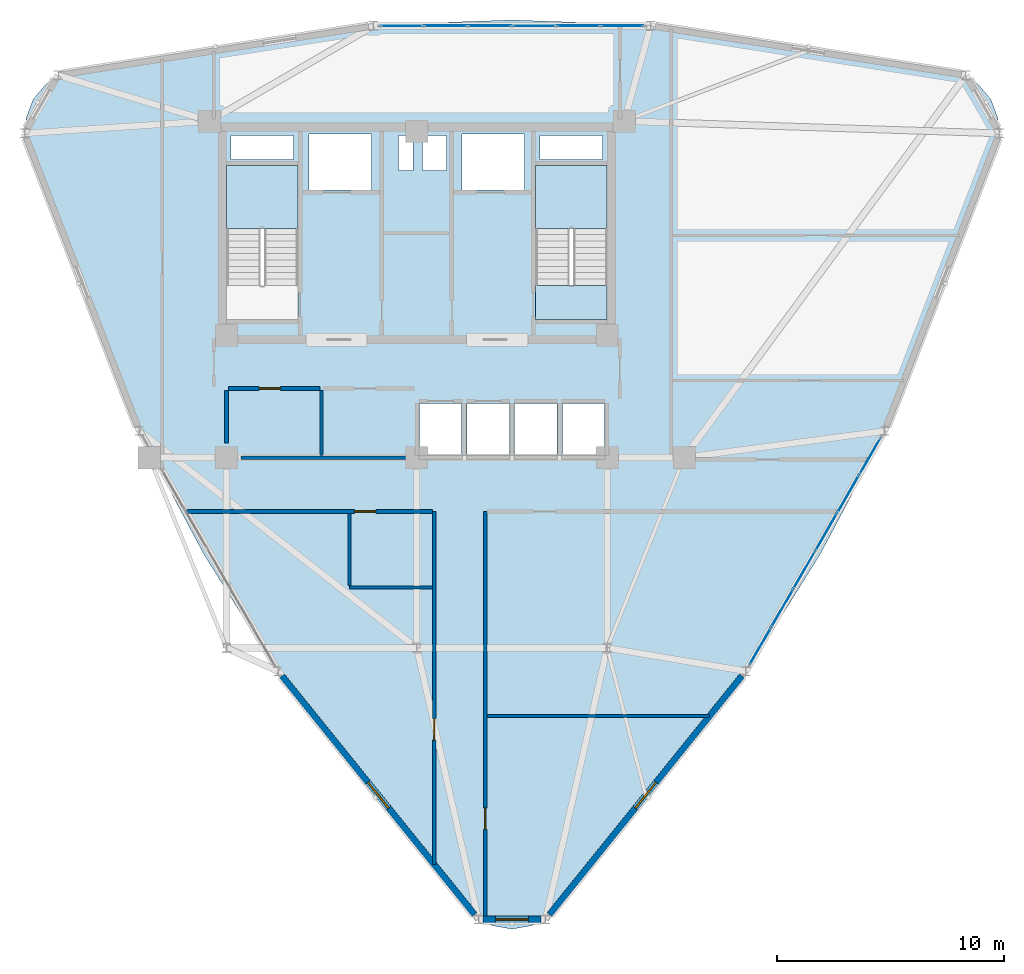
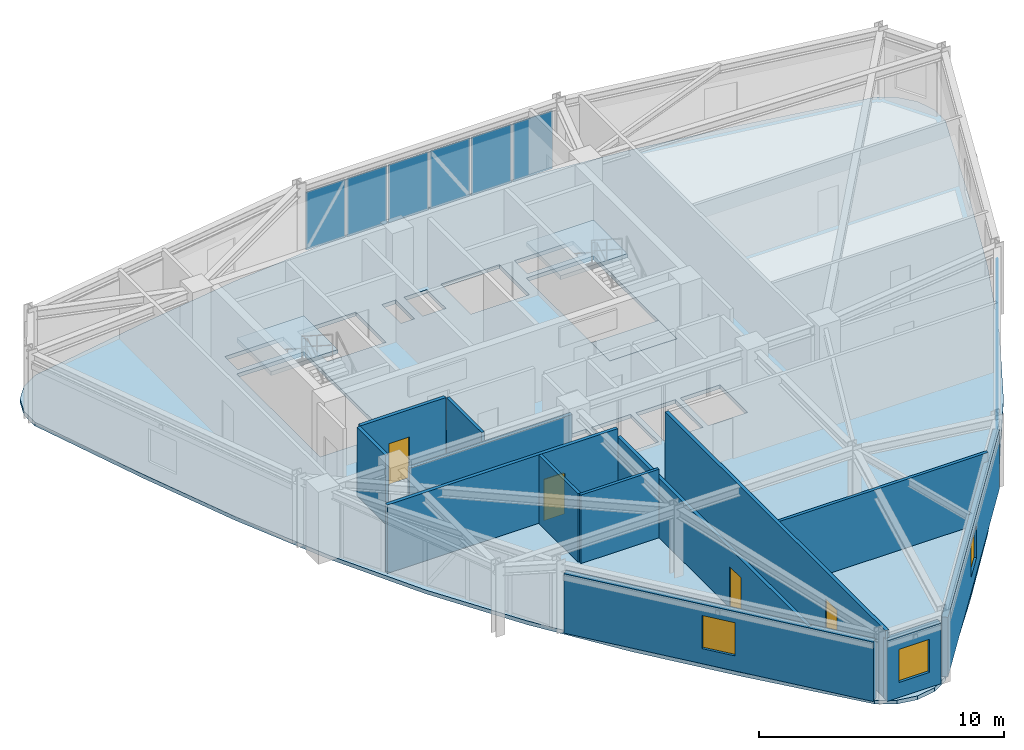
# One storey, part 12 of 16: 13 walls, 12 plates, 4 doors, 4 slabs, 3 windows, 7 openings, 4 elements without a shape of their own.
"""IFC4 building model written with IfcOpenShell, lengths in metres."""

from ifc_helpers import new_model, si_unit, derived_unit, direction, frame, frame_2d, origin, origin_2d, place, context, subcontext, project, spatial, polyline, rectangle, outline, extrude, source, transform, mapped, material, layer, layer_set, type_object, element, fill, aggregate, save


model = new_model("IFC4")

# Units and contexts
model_context = context("Model", 3, precision=1e-05, world=origin(), true_north=direction((0.0, 1.0)))
body_context = subcontext(model_context, "Body", "Model", "MODEL_VIEW")
ifc_project = project(units=[si_unit("LENGTHUNIT", "METRE"), si_unit("AREAUNIT", "SQUARE_METRE"), si_unit("VOLUMEUNIT", "CUBIC_METRE"), si_unit("PLANEANGLEUNIT", "RADIAN"), si_unit("MASSUNIT", "GRAM", prefix="KILO"), derived_unit("THERMALTRANSMITTANCEUNIT", [(si_unit("POWERUNIT", "WATT"), 1), (si_unit("LENGTHUNIT", "METRE"), -2), (si_unit("THERMODYNAMICTEMPERATUREUNIT", "KELVIN"), -1)])], contexts=[model_context])

# Site, building, storey
site_placement = place(None, origin())
site = spatial("IfcSite", under=ifc_project, at=site_placement, CompositionType="ELEMENT")
building_placement = place(site_placement, origin())
building = spatial("IfcBuilding", under=site, at=building_placement, Name="Korsvarv Bourse and Concert Hall", CompositionType="ELEMENT")
storey_placement = place(building_placement, frame((0.0, 0.0, 220.199951171875)))
storey = spatial("IfcBuildingStorey", under=building, at=storey_placement, Name="L57", CompositionType="ELEMENT", Elevation=220.199951171875)

# Slab
ifc_material_1 = material(Name="Precast concrete C45/55", Category="concrete")
ifc_layer_1 = layer(ifc_material_1, 0.199951171875)
ifc_layer_set_1 = layer_set([ifc_layer_1], Name="Precast concrete C45/55")
slab_type_1 = type_object("IfcSlabType", Name="SLB-FLND-T", PredefinedType="LANDING", material=ifc_layer_set_1)
slab_1_placement = place(storey_placement, frame((0.0, 0.0, -0.199951171875)))
element("IfcSlab", 1, at=slab_1_placement, inside=storey, type_object=slab_type_1, Name="L57 Stair ST-T2 Floor Landing Slab", PredefinedType="LANDING", context=body_context, shape_type="SweptSolid", body=[
    extrude(outline(polyline([(44.39990234375, 38.5), (44.39990234375, 40.0), (41.239990234375, 40.0), (41.239990234375, 38.5), (44.39990234375, 38.5)])), origin(), (0.0, 0.0, 1.0), 0.199951171875),
])

# Stair, slab
stair_type = type_object("IfcStairType", Name="STR-TYPE-04", PredefinedType="HALF_TURN_STAIR", material=ifc_material_1)
stair_1_placement = place(storey_placement, origin())
stair_1 = element("IfcStair", 2, at=stair_1_placement, inside=storey, type_object=stair_type, Name="L57 Tower West Exit Stair ST-T1", PredefinedType="HALF_TURN_STAIR")
ifc_layer_2 = layer(ifc_material_1, 0.199951171875)
ifc_layer_set_2 = layer_set([ifc_layer_2], Name="Precast concrete C45/55")
slab_type_2 = type_object("IfcSlabType", Name="SLB-ST-LND", PredefinedType="LANDING", material=ifc_layer_set_2)
slab_2_placement = place(storey_placement, frame((0.0, 0.0, 1.60009765625)))
slab_2 = element("IfcSlab", 3, at=slab_2_placement, type_object=slab_type_2, Name="ST-T1 landing 1", PredefinedType="LANDING", context=body_context, shape_type="SweptSolid", body=[
    extrude(outline(polyline([(30.760009765625, 42.52001953125), (30.760009765625, 45.300048828125), (27.60009765625, 45.300048828125), (27.60009765625, 42.52001953125), (30.760009765625, 42.52001953125)])), origin(), (0.0, 0.0, 1.0), 0.199951171875),
])
aggregate(stair_1, [slab_2])

stair_2_placement = place(storey_placement, origin())
stair_2 = element("IfcStair", 4, at=stair_2_placement, inside=storey, type_object=stair_type, Name="L57 Tower East Exit Stair ST-T2", PredefinedType="HALF_TURN_STAIR")
slab_3_placement = place(storey_placement, frame((0.0, 0.0, 1.60009765625)))
slab_3 = element("IfcSlab", 5, at=slab_3_placement, type_object=slab_type_2, Name="ST-T2 landing 1", PredefinedType="LANDING", context=body_context, shape_type="SweptSolid", body=[
    extrude(outline(polyline([(44.39990234375, 42.52001953125), (44.39990234375, 45.300048828125), (41.239990234375, 45.300048828125), (41.239990234375, 42.52001953125), (44.39990234375, 42.52001953125)])), origin(), (0.0, 0.0, 1.0), 0.199951171875),
])
aggregate(stair_2, [slab_3])

# Slab
ifc_material_2 = material(Name="Concrete C45/55", Category="concrete")
ifc_layer_3 = layer(ifc_material_2, 0.18994140625)
ifc_layer_set_3 = layer_set([ifc_layer_3], Name="Concrete C45/55")
slab_type_3 = type_object("IfcSlabType", Name="SLB-TW3", PredefinedType="FLOOR", material=ifc_layer_set_3)
slab_4_placement = place(storey_placement, frame((0.0, 0.0, -0.18994140625)))
element("IfcSlab", 6, at=slab_4_placement, inside=storey, type_object=slab_type_3, Name="L57 tower structural floor slab", PredefinedType="FLOOR", context=body_context, shape_type="SweptSolid", body=[
    extrude(outline(polyline([(61.281982421875, 45.464111328125), (59.653564453125, 40.964111328125), (57.922119140625, 36.548095703125), (55.994384765625, 32.265380859375), (53.80615234375, 28.14453125), (51.33154296875, 24.188720703125), (48.58642578125, 20.3779296875), (45.627685546875, 16.670654296875), (42.544677734375, 13.010498046875), (42.543701171875, 13.009033203125), (41.865478515625, 12.200927734375), (41.086181640625, 11.7509765625), (40.199951171875, 11.5947265625), (39.313720703125, 11.7509765625), (38.534423828125, 12.200927734375), (37.856201171875, 13.009033203125), (37.855224609375, 13.010498046875), (34.772216796875, 16.670654296875), (31.813720703125, 20.3779296875), (29.068603515625, 24.188720703125), (26.593994140625, 28.14453125), (24.405517578125, 32.265380859375), (22.477783203125, 36.548095703125), (20.74658203125, 40.964111328125), (19.1181640625, 45.464111328125), (19.117431640625, 45.4658203125), (18.756591796875, 46.457275390625), (18.756591796875, 47.35693359375), (19.064453125, 48.20263671875), (19.642822265625, 48.89208984375), (20.422119140625, 49.341796875), (21.461181640625, 49.525146484375), (21.462646484375, 49.525390625), (26.17431640625, 50.365234375), (30.8642578125, 51.073974609375), (35.537109375, 51.545654296875), (40.199951171875, 51.7109375), (44.863037109375, 51.545654296875), (49.535888671875, 51.073974609375), (54.2255859375, 50.365234375), (58.937255859375, 49.525390625), (58.93896484375, 49.525146484375), (59.977783203125, 49.341796875), (60.757080078125, 48.89208984375), (61.33544921875, 48.20263671875), (61.643310546875, 47.35693359375), (61.643310546875, 46.457275390625), (61.282470703125, 45.4658203125), (61.281982421875, 45.464111328125)]), holes=[polyline([(30.760009765625, 38.5), (30.760009765625, 45.300048828125), (27.60009765625, 45.300048828125), (27.60009765625, 38.5), (30.760009765625, 38.5)]), polyline([(44.39990234375, 38.5), (44.39990234375, 45.300048828125), (41.239990234375, 45.300048828125), (41.239990234375, 38.5), (44.39990234375, 38.5)]), polyline([(31.239990234375, 44.219970703125), (34.0, 44.219970703125), (34.0, 46.679931640625), (31.239990234375, 46.679931640625), (31.239990234375, 44.219970703125)]), polyline([(38.0, 44.219970703125), (40.760009765625, 44.219970703125), (40.760009765625, 46.679931640625), (38.0, 46.679931640625), (38.0, 44.219970703125)]), polyline([(36.1201171875, 32.52001953125), (37.97998046875, 32.52001953125), (37.97998046875, 34.780029296875), (36.1201171875, 34.780029296875), (36.1201171875, 32.52001953125)]), polyline([(38.219970703125, 32.52001953125), (40.080078125, 32.52001953125), (40.080078125, 34.780029296875), (38.219970703125, 34.780029296875), (38.219970703125, 32.52001953125)]), polyline([(40.320068359375, 32.52001953125), (42.179931640625, 32.52001953125), (42.179931640625, 34.780029296875), (40.320068359375, 34.780029296875), (40.320068359375, 32.52001953125)]), polyline([(42.419921875, 32.52001953125), (44.280029296875, 32.52001953125), (44.280029296875, 34.780029296875), (42.419921875, 34.780029296875), (42.419921875, 32.52001953125)]), polyline([(27.800048828125, 45.56005859375), (30.56005859375, 45.56005859375), (30.56005859375, 46.6201171875), (27.800048828125, 46.6201171875), (27.800048828125, 45.56005859375)]), polyline([(41.43994140625, 45.56005859375), (44.199951171875, 45.56005859375), (44.199951171875, 46.6201171875), (41.43994140625, 46.6201171875), (41.43994140625, 45.56005859375)]), polyline([(35.199951171875, 45.080078125), (35.840087890625, 45.080078125), (35.840087890625, 46.6201171875), (35.199951171875, 46.6201171875), (35.199951171875, 45.080078125)]), polyline([(36.239990234375, 45.080078125), (37.320068359375, 45.080078125), (37.320068359375, 46.6201171875), (36.239990234375, 46.6201171875), (36.239990234375, 45.080078125)])]), origin(), (0.0, 0.0, 1.0), 0.18994140625),
])

# Curtain wall, plates
ifc_material_3 = material(Name="Anodised aluminium and triple low-E glazing", Category="glass")
ifc_layer_4 = layer(ifc_material_3, 0.199951171875)
ifc_layer_set_4 = layer_set([ifc_layer_4], Name="Anodised aluminium and triple low-E glazing")
curtain_wall_type = type_object("IfcCurtainWallType", Name="CW-SYS-3", PredefinedType="NOTDEFINED", material=ifc_layer_set_4)
curtain_wall_1_placement = place(storey_placement, origin())
curtain_wall_1 = element("IfcCurtainWall", 7, at=curtain_wall_1_placement, inside=storey, type_object=curtain_wall_type, Name="L57 CW3 curtain wall CW-L57-F03", PredefinedType="NOTDEFINED")
ifc_material_4 = material(Name="Tempered triple insulated low-E architectural glass", Category="glass")
ifc_layer_5 = layer(ifc_material_4, 0.0380859375)
ifc_layer_set_5 = layer_set([ifc_layer_5], Name="Tempered triple insulated low-E architectural glass")
plate_type_1 = type_object("IfcPlateType", Name="CWP-VIS2", PredefinedType="CURTAIN_PANEL", material=ifc_layer_set_5)
shared_shape_1 = source(origin(), body_context, "Body", "SweptSolid", [
    extrude(rectangle(XDim=1.850341796875, YDim=0.0380859375, at=origin_2d()), origin(), (0.0, 0.0, 1.0), 2.889892578125),
])
plate_1_placement = place(storey_placement, frame((45.07080078125, 51.449951171875, 0.06494140625), z_axis=(0.0, 0.0, 1.0), x_axis=(-1.0, 0.0, 0.0)))
plate_1 = element("IfcPlate", 8, at=plate_1_placement, type_object=plate_type_1, Name="CW3 faceted panel 1.1", PredefinedType="CURTAIN_PANEL", context=body_context, shape_type="MappedRepresentation", body=[
    mapped(shared_shape_1, transform((0.0, 0.0, 0.0), scale=1.0)),
])
shared_shape_2 = source(origin(), body_context, "Body", "SweptSolid", [
    extrude(rectangle(XDim=1.88525390625, YDim=0.0380859375, at=origin_2d()), origin(), (0.0, 0.0, 1.0), 2.889892578125),
])
plate_2_placement = place(storey_placement, frame((43.133056640625, 51.449951171875, 0.06494140625), z_axis=(0.0, 0.0, 1.0), x_axis=(-1.0, 0.0, 0.0)))
plate_2 = element("IfcPlate", 9, at=plate_2_placement, type_object=plate_type_1, Name="CW3 faceted panel 2.1", PredefinedType="CURTAIN_PANEL", context=body_context, shape_type="MappedRepresentation", body=[
    mapped(shared_shape_2, transform((0.0, 0.0, 0.0), scale=1.0)),
])
plate_3_placement = place(storey_placement, frame((39.222412109375, 51.449951171875, 0.06494140625), z_axis=(0.0, 0.0, 1.0), x_axis=(-1.0, 0.0, 0.0)))
plate_3 = element("IfcPlate", 10, at=plate_3_placement, type_object=plate_type_1, Name="CW3 faceted panel 4.1", PredefinedType="CURTAIN_PANEL", context=body_context, shape_type="MappedRepresentation", body=[
    mapped(shared_shape_2, transform((0.0, 0.0, 0.0), scale=1.0)),
])
plate_4_placement = place(storey_placement, frame((37.26708984375, 51.449951171875, 0.06494140625), z_axis=(0.0, 0.0, 1.0), x_axis=(-1.0, 0.0, 0.0)))
plate_4 = element("IfcPlate", 11, at=plate_4_placement, type_object=plate_type_1, Name="CW3 faceted panel 5.1", PredefinedType="CURTAIN_PANEL", context=body_context, shape_type="MappedRepresentation", body=[
    mapped(shared_shape_2, transform((0.0, 0.0, 0.0), scale=1.0)),
])
ifc_material_5 = material(Name="Insulated spandrel glass", Category="glass")
ifc_layer_6 = layer(ifc_material_5, 0.031982421875)
ifc_layer_set_6 = layer_set([ifc_layer_6], Name="Insulated spandrel glass")
plate_type_2 = type_object("IfcPlateType", Name="CWP-SPD1", PredefinedType="CURTAIN_PANEL", material=ifc_layer_set_6)
shared_shape_3 = source(origin(), body_context, "Body", "SweptSolid", [
    extrude(rectangle(XDim=1.88525390625, YDim=0.031982421875, at=origin_2d()), origin(), (0.0, 0.0, 1.0), 2.889892578125),
])
plate_5_placement = place(storey_placement, frame((41.177734375, 51.449951171875, 0.06494140625), z_axis=(0.0, 0.0, 1.0), x_axis=(-1.0, 0.0, 0.0)))
plate_5 = element("IfcPlate", 12, at=plate_5_placement, type_object=plate_type_2, Name="CW3 spandrel shadow-box panel 3.1", PredefinedType="CURTAIN_PANEL", context=body_context, shape_type="MappedRepresentation", body=[
    mapped(shared_shape_3, transform((0.0, 0.0, 0.0), scale=1.0)),
])
shared_shape_4 = source(origin(), body_context, "Body", "SweptSolid", [
    extrude(rectangle(XDim=1.850341796875, YDim=0.031982421875, at=origin_2d()), origin(), (0.0, 0.0, 1.0), 2.889892578125),
])
plate_6_placement = place(storey_placement, frame((35.3291015625, 51.449951171875, 0.06494140625), z_axis=(0.0, 0.0, 1.0), x_axis=(-1.0, 0.0, 0.0)))
plate_6 = element("IfcPlate", 13, at=plate_6_placement, type_object=plate_type_2, Name="CW3 spandrel shadow-box panel 6.1", PredefinedType="CURTAIN_PANEL", context=body_context, shape_type="MappedRepresentation", body=[
    mapped(shared_shape_4, transform((0.0, 0.0, 0.0), scale=1.0)),
])
aggregate(curtain_wall_1, [plate_1, plate_2, plate_5, plate_3, plate_4, plate_6])

curtain_wall_2_placement = place(storey_placement, origin())
curtain_wall_2 = element("IfcCurtainWall", 14, at=curtain_wall_2_placement, inside=storey, type_object=curtain_wall_type, Name="L57 CW3 curtain wall CW-L57-F11", PredefinedType="NOTDEFINED")
shared_shape_5 = source(origin(), body_context, "Body", "SweptSolid", [
    extrude(rectangle(XDim=1.83544921875, YDim=0.0380859375, at=origin_2d()), origin(), (0.0, 0.0, 1.0), 2.889892578125),
])
plate_7_placement = place(storey_placement, frame((51.163330078125, 24.08935546875, 0.06494140625), z_axis=(0.0, 0.0, 1.0), x_axis=(0.499992358293, 0.866029815681, 0.0)))
plate_7 = element("IfcPlate", 15, at=plate_7_placement, type_object=plate_type_1, Name="CW3 faceted panel 1.1", PredefinedType="CURTAIN_PANEL", context=body_context, shape_type="MappedRepresentation", body=[
    mapped(shared_shape_5, transform((0.0, 0.0, 0.0), scale=1.0)),
])
shared_shape_6 = source(origin(), body_context, "Body", "SweptSolid", [
    extrude(rectangle(XDim=1.870361328125, YDim=0.0380859375, at=origin_2d()), origin(), (0.0, 0.0, 1.0), 2.889892578125),
])
plate_8_placement = place(storey_placement, frame((52.124755859375, 25.75439453125, 0.06494140625), z_axis=(0.0, 0.0, 1.0), x_axis=(0.499992358293, 0.866029815681, 0.0)))
plate_8 = element("IfcPlate", 16, at=plate_8_placement, type_object=plate_type_1, Name="CW3 faceted panel 2.1", PredefinedType="CURTAIN_PANEL", context=body_context, shape_type="MappedRepresentation", body=[
    mapped(shared_shape_6, transform((0.0, 0.0, 0.0), scale=1.0)),
])
plate_9_placement = place(storey_placement, frame((54.065185546875, 29.115234375, 0.06494140625), z_axis=(0.0, 0.0, 1.0), x_axis=(0.499992358293, 0.866029815681, 0.0)))
plate_9 = element("IfcPlate", 17, at=plate_9_placement, type_object=plate_type_1, Name="CW3 faceted panel 4.1", PredefinedType="CURTAIN_PANEL", context=body_context, shape_type="MappedRepresentation", body=[
    mapped(shared_shape_6, transform((0.0, 0.0, 0.0), scale=1.0)),
])
plate_10_placement = place(storey_placement, frame((55.03515625, 30.795654296875, 0.06494140625), z_axis=(0.0, 0.0, 1.0), x_axis=(0.499992358293, 0.866029815681, 0.0)))
plate_10 = element("IfcPlate", 18, at=plate_10_placement, type_object=plate_type_1, Name="CW3 faceted panel 5.1", PredefinedType="CURTAIN_PANEL", context=body_context, shape_type="MappedRepresentation", body=[
    mapped(shared_shape_6, transform((0.0, 0.0, 0.0), scale=1.0)),
])
shared_shape_7 = source(origin(), body_context, "Body", "SweptSolid", [
    extrude(rectangle(XDim=1.870361328125, YDim=0.031982421875, at=origin_2d()), origin(), (0.0, 0.0, 1.0), 2.889892578125),
])
plate_11_placement = place(storey_placement, frame((53.094970703125, 27.434814453125, 0.06494140625), z_axis=(0.0, 0.0, 1.0), x_axis=(0.499992358293, 0.866029815681, 0.0)))
plate_11 = element("IfcPlate", 19, at=plate_11_placement, type_object=plate_type_2, Name="CW3 spandrel shadow-box panel 3.1", PredefinedType="CURTAIN_PANEL", context=body_context, shape_type="MappedRepresentation", body=[
    mapped(shared_shape_7, transform((0.0, 0.0, 0.0), scale=1.0)),
])
shared_shape_8 = source(origin(), body_context, "Body", "SweptSolid", [
    extrude(rectangle(XDim=1.83544921875, YDim=0.031982421875, at=origin_2d()), origin(), (0.0, 0.0, 1.0), 2.889892578125),
])
plate_12_placement = place(storey_placement, frame((55.99658203125, 32.4609375, 0.06494140625), z_axis=(0.0, 0.0, 1.0), x_axis=(0.499992358293, 0.866029815681, 0.0)))
plate_12 = element("IfcPlate", 20, at=plate_12_placement, type_object=plate_type_2, Name="CW3 spandrel shadow-box panel 6.1", PredefinedType="CURTAIN_PANEL", context=body_context, shape_type="MappedRepresentation", body=[
    mapped(shared_shape_8, transform((0.0, 0.0, 0.0), scale=1.0)),
])
aggregate(curtain_wall_2, [plate_7, plate_8, plate_11, plate_9, plate_10, plate_12])

# Wall, opening, window
ifc_material_6 = material(Name="Precast concrete C45/55 with terracotta rainscreen", Category="concrete")
ifc_layer_7 = layer(ifc_material_6, 0.300048828125)
ifc_layer_set_7 = layer_set([ifc_layer_7], Name="Precast concrete C45/55 with terracotta rainscreen")
wall_type_1 = type_object("IfcWallType", Name="WL-EXT-TC1", PredefinedType="SOLIDWALL", material=ifc_layer_set_7)
wall_1_placement = place(storey_placement, frame((38.92822265625, 12.020263671875, 0.0), z_axis=(0.0, 0.0, 1.0), x_axis=(1.0, 0.0, 0.0)))
wall_1 = element("IfcWall", 21, at=wall_1_placement, inside=storey, type_object=wall_type_1, Name="L57 terracotta exterior wall EW-L57-B09", PredefinedType="SOLIDWALL", context=body_context, shape_type="SweptSolid", body=[
    extrude(rectangle(XDim=2.54345703125, YDim=0.300048828125, at=frame_2d((1.271728515625, 0.0))), origin(), (0.0, 0.0, 1.0), 3.02001953125),
])
opening_1_placement = place(wall_1_placement, frame((0.546875, 0.0, 0.75)))
opening_1 = element("IfcOpeningElement", 22, at=opening_1_placement, cuts=wall_1, Name="Opening W-02", PredefinedType="OPENING", context=body_context, shape_type="SweptSolid", body=[
    extrude(rectangle(XDim=1.449951171875, YDim=1.64990234375, at=frame_2d((0.72509765625, 0.824951171875))), frame((0.0, 0.16015625, 0.0), z_axis=(0.0, -1.0, 0.0), x_axis=(1.0, 0.0, 0.0)), (0.0, 0.0, 1.0), 0.320068359375),
])
ifc_material_7 = material(Name="Thermally broken aluminium frame with triple low-E glass", Category="glass")
window_type = type_object("IfcWindowType", Name="WIN-TW2", PartitioningType="SINGLE_PANEL", PredefinedType="WINDOW", material=ifc_material_7)
window_1_placement = place(opening_1_placement, origin())
window_1 = element("IfcWindow", 23, at=window_1_placement, inside=storey, type_object=window_type, Name="L57 punched facade window W-02", OverallHeight=1.64990234375, OverallWidth=1.449951171875, PartitioningType="SINGLE_PANEL", PredefinedType="WINDOW", context=body_context, shape_type="SweptSolid", body=[
    extrude(rectangle(XDim=1.449951171875, YDim=1.64990234375, at=frame_2d((0.72509765625, 0.824951171875))), frame((0.0, 0.030029296875, 0.0), z_axis=(0.0, -1.0, 0.0), x_axis=(1.0, 0.0, 0.0)), (0.0, 0.0, 1.0), 0.06005859375),
])
fill(opening_1, window_1)

ifc_material_8 = material(Name="Precast concrete C45/55 with fluted terracotta pier", Category="concrete")
ifc_layer_8 = layer(ifc_material_8, 0.280029296875)
ifc_layer_set_8 = layer_set([ifc_layer_8], Name="Precast concrete C45/55 with fluted terracotta pier")
wall_type_2 = type_object("IfcWallType", Name="WL-EXT-TC2", PredefinedType="SOLIDWALL", material=ifc_layer_set_8)
wall_2_placement = place(storey_placement, frame((30.05126953125, 22.762939453125, 0.0), z_axis=(0.0, 0.0, 1.0), x_axis=(0.627990128971, -0.778221303946, 0.0)))
wall_2 = element("IfcWall", 24, at=wall_2_placement, inside=storey, type_object=wall_type_2, Name="L57 terracotta exterior wall EW-L57-B08", PredefinedType="SOLIDWALL", context=body_context, shape_type="SweptSolid", body=[
    extrude(rectangle(XDim=13.530517578125, YDim=0.280029296875, at=frame_2d((6.76513671875, 0.0))), origin(), (0.0, 0.0, 1.0), 2.9599609375),
])
opening_2_placement = place(wall_2_placement, frame((6.040283203125, 0.0, 0.75)))
opening_2 = element("IfcOpeningElement", 25, at=opening_2_placement, cuts=wall_2, Name="Opening W-02", PredefinedType="OPENING", context=body_context, shape_type="SweptSolid", body=[
    extrude(rectangle(XDim=1.449951171875, YDim=1.64990234375, at=frame_2d((0.72509765625, 0.824951171875))), frame((0.0, 0.14990234375, 0.0), z_axis=(0.0, -1.0, 0.0), x_axis=(1.0, 0.0, 0.0)), (0.0, 0.0, 1.0), 0.300048828125),
])
window_2_placement = place(opening_2_placement, origin())
window_2 = element("IfcWindow", 26, at=window_2_placement, inside=storey, type_object=window_type, Name="L57 punched facade window W-02", OverallHeight=1.64990234375, OverallWidth=1.449951171875, PartitioningType="SINGLE_PANEL", PredefinedType="WINDOW", context=body_context, shape_type="SweptSolid", body=[
    extrude(rectangle(XDim=1.449951171875, YDim=1.64990234375, at=frame_2d((0.72509765625, 0.824951171875))), frame((0.0, 0.030029296875, 0.0), z_axis=(0.0, -1.0, 0.0), x_axis=(1.0, 0.0, 0.0)), (0.0, 0.0, 1.0), 0.06005859375),
])
fill(opening_2, window_2)

wall_3_placement = place(storey_placement, frame((41.851806640625, 12.233154296875, 0.0), z_axis=(0.0, 0.0, 1.0), x_axis=(0.627979201057, 0.778230122162, 0.0)))
wall_3 = element("IfcWall", 27, at=wall_3_placement, inside=storey, type_object=wall_type_2, Name="L57 terracotta exterior wall EW-L57-B10", PredefinedType="SOLIDWALL", context=body_context, shape_type="SweptSolid", body=[
    extrude(rectangle(XDim=13.530517578125, YDim=0.280029296875, at=frame_2d((6.76513671875, 0.0))), origin(), (0.0, 0.0, 1.0), 2.9599609375),
])
opening_3_placement = place(wall_3_placement, frame((6.040283203125, 0.0, 0.75)))
opening_3 = element("IfcOpeningElement", 28, at=opening_3_placement, cuts=wall_3, Name="Opening W-02", PredefinedType="OPENING", context=body_context, shape_type="SweptSolid", body=[
    extrude(rectangle(XDim=1.449951171875, YDim=1.64990234375, at=frame_2d((0.72509765625, 0.824951171875))), frame((0.0, 0.14990234375, 0.0), z_axis=(0.0, -1.0, 0.0), x_axis=(1.0, 0.0, 0.0)), (0.0, 0.0, 1.0), 0.300048828125),
])
window_3_placement = place(opening_3_placement, origin())
window_3 = element("IfcWindow", 29, at=window_3_placement, inside=storey, type_object=window_type, Name="L57 punched facade window W-02", OverallHeight=1.64990234375, OverallWidth=1.449951171875, PartitioningType="SINGLE_PANEL", PredefinedType="WINDOW", context=body_context, shape_type="SweptSolid", body=[
    extrude(rectangle(XDim=1.449951171875, YDim=1.64990234375, at=frame_2d((0.72509765625, 0.824951171875))), frame((0.0, 0.030029296875, 0.0), z_axis=(0.0, -1.0, 0.0), x_axis=(1.0, 0.0, 0.0)), (0.0, 0.0, 1.0), 0.06005859375),
])
fill(opening_3, window_3)

# Walls
ifc_material_9 = material(Name="Double-stud fire-rated acoustic partition", Category="gypsum")
ifc_layer_9 = layer(ifc_material_9, 0.159912109375)
ifc_layer_set_9 = layer_set([ifc_layer_9], Name="Double-stud fire-rated acoustic partition")
wall_type_3 = type_object("IfcWallType", Name="WL-INT-EI60", PredefinedType="PARTITIONING", material=ifc_layer_set_9)
wall_4_placement = place(storey_placement, frame((28.25, 32.39990234375, 0.0), z_axis=(0.0, 0.0, 1.0), x_axis=(1.0, 0.0, 0.0)))
element("IfcWall", 30, at=wall_4_placement, inside=storey, type_object=wall_type_3, Name="L57 interior partition wall W-L57-FRD-S", PredefinedType="PARTITIONING", context=body_context, shape_type="SweptSolid", body=[
    extrude(rectangle(XDim=7.64990234375, YDim=0.159912109375, at=frame_2d((3.824951171875, 0.0))), origin(), (0.0, 0.0, 1.0), 2.9599609375),
])
wall_5_placement = place(storey_placement, frame((27.60009765625, 33.050048828125, 0.0), z_axis=(0.0, 0.0, 1.0), x_axis=(0.0, 1.0, 0.0)))
element("IfcWall", 31, at=wall_5_placement, inside=storey, type_object=wall_type_3, Name="L57 interior partition wall W-L57-FRD-W", PredefinedType="PARTITIONING", context=body_context, shape_type="SweptSolid", body=[
    extrude(rectangle(XDim=2.31005859375, YDim=0.159912109375, at=frame_2d((1.155029296875, 0.0))), origin(), (0.0, 0.0, 1.0), 3.41015625),
])

# Wall, opening, door
wall_6_placement = place(storey_placement, frame((27.68994140625, 35.449951171875, 0.0), z_axis=(0.0, 0.0, 1.0), x_axis=(1.0, 0.0, 0.0)))
wall_6 = element("IfcWall", 32, at=wall_6_placement, inside=storey, type_object=wall_type_3, Name="L57 interior partition wall W-L57-FRD-N1", PredefinedType="PARTITIONING", context=body_context, shape_type="SweptSolid", body=[
    extrude(rectangle(XDim=4.030029296875, YDim=0.159912109375, at=frame_2d((2.01513671875, 0.0))), origin(), (0.0, 0.0, 1.0), 3.41015625),
])
opening_4_placement = place(wall_6_placement, frame((1.35009765625, 0.0, 0.0)))
opening_4 = element("IfcOpeningElement", 33, at=opening_4_placement, cuts=wall_6, Name="Opening D-03", PredefinedType="OPENING", context=body_context, shape_type="SweptSolid", body=[
    extrude(rectangle(XDim=0.949951171875, YDim=2.050048828125, at=frame_2d((0.47509765625, 1.02490234375))), frame((0.0, 0.08984375, 0.0), z_axis=(0.0, -1.0, 0.0), x_axis=(1.0, 0.0, 0.0)), (0.0, 0.0, 1.0), 0.179931640625),
])
ifc_material_10 = material(Name="Nordic oak acoustic office door", Category="wood")
door_type_1 = type_object("IfcDoorType", Name="DR-INT-1", OperationType="NOTDEFINED", PredefinedType="DOOR", material=ifc_material_10)
door_1_placement = place(opening_4_placement, origin())
door_1 = element("IfcDoor", 34, at=door_1_placement, inside=storey, type_object=door_type_1, Name="L57 interior door DR-L57-FRDN1", OperationType="SINGLE_SWING_RIGHT", OverallHeight=2.050048828125, OverallWidth=0.949951171875, PredefinedType="DOOR", context=body_context, shape_type="SweptSolid", body=[
    extrude(rectangle(XDim=0.949951171875, YDim=2.050048828125, at=frame_2d((0.47509765625, 1.02490234375))), frame((0.0, 0.02490234375, 0.0), z_axis=(0.0, -1.0, 0.0), x_axis=(1.0, 0.0, 0.0)), (0.0, 0.0, 1.0), 0.050048828125),
])
fill(opening_4, door_1)

wall_7_placement = place(storey_placement, frame((39.02490234375, 12.040283203125, 0.0), z_axis=(0.0, 0.0, 1.0), x_axis=(0.0, 1.0, 0.0)))
wall_7 = element("IfcWall", 35, at=wall_7_placement, inside=storey, type_object=wall_type_3, Name="L57 interior partition wall W-L57-TCOR-03", PredefinedType="PARTITIONING", context=body_context, shape_type="SweptSolid", body=[
    extrude(rectangle(XDim=17.98974609375, YDim=0.159912109375, at=frame_2d((8.994873046875, 0.0))), origin(), (0.0, 0.0, 1.0), 3.41015625),
])
opening_5_placement = place(wall_7_placement, frame((3.952880859375, 0.0, 0.0)))
opening_5 = element("IfcOpeningElement", 36, at=opening_5_placement, cuts=wall_7, Name="Opening D-02", PredefinedType="OPENING", context=body_context, shape_type="SweptSolid", body=[
    extrude(rectangle(XDim=0.949951171875, YDim=2.050048828125, at=frame_2d((0.47509765625, 1.02490234375))), frame((0.0, 0.08984375, 0.0), z_axis=(0.0, -1.0, 0.0), x_axis=(1.0, 0.0, 0.0)), (0.0, 0.0, 1.0), 0.179931640625),
])
ifc_material_11 = material(Name="Timber and steel acoustic fire door", Category="wood")
door_type_2 = type_object("IfcDoorType", Name="DR-FD30", OperationType="NOTDEFINED", PredefinedType="DOOR", material=ifc_material_11)
door_2_placement = place(opening_5_placement, origin())
door_2 = element("IfcDoor", 37, at=door_2_placement, inside=storey, type_object=door_type_2, Name="L57 interior door DR-L57-TCOR-EC44", OperationType="SINGLE_SWING_LEFT", OverallHeight=2.050048828125, OverallWidth=0.949951171875, PredefinedType="DOOR", context=body_context, shape_type="SweptSolid", body=[
    extrude(rectangle(XDim=0.949951171875, YDim=2.050048828125, at=frame_2d((0.47509765625, 1.02490234375))), frame((0.0, 0.02490234375, 0.0), z_axis=(0.0, -1.0, 0.0), x_axis=(1.0, 0.0, 0.0)), (0.0, 0.0, 1.0), 0.050048828125),
])
fill(opening_5, door_2)

wall_8_placement = place(storey_placement, frame((36.77490234375, 14.45068359375, 0.0), z_axis=(0.0, 0.0, 1.0), x_axis=(0.0, 1.0, 0.0)))
wall_8 = element("IfcWall", 38, at=wall_8_placement, inside=storey, type_object=wall_type_3, Name="L57 interior partition wall W-L57-TCOR-04", PredefinedType="PARTITIONING", context=body_context, shape_type="SweptSolid", body=[
    extrude(rectangle(XDim=15.579345703125, YDim=0.159912109375, at=frame_2d((7.78955078125, 0.0))), origin(), (0.0, 0.0, 1.0), 2.9599609375),
])
opening_6_placement = place(wall_8_placement, frame((5.4794921875, 0.0, 0.0)))
opening_6 = element("IfcOpeningElement", 39, at=opening_6_placement, cuts=wall_8, Name="Opening D-02", PredefinedType="OPENING", context=body_context, shape_type="SweptSolid", body=[
    extrude(rectangle(XDim=0.949951171875, YDim=2.050048828125, at=frame_2d((0.47509765625, 1.02490234375))), frame((0.0, 0.08984375, 0.0), z_axis=(0.0, -1.0, 0.0), x_axis=(1.0, 0.0, 0.0)), (0.0, 0.0, 1.0), 0.179931640625),
])
door_3_placement = place(opening_6_placement, origin())
door_3 = element("IfcDoor", 40, at=door_3_placement, inside=storey, type_object=door_type_2, Name="L57 interior door DR-L57-TCOR-EC17", OperationType="SINGLE_SWING_RIGHT", OverallHeight=2.050048828125, OverallWidth=0.949951171875, PredefinedType="DOOR", context=body_context, shape_type="SweptSolid", body=[
    extrude(rectangle(XDim=0.949951171875, YDim=2.050048828125, at=frame_2d((0.47509765625, 1.02490234375))), frame((0.0, 0.02490234375, 0.0), z_axis=(0.0, -1.0, 0.0), x_axis=(1.0, 0.0, 0.0)), (0.0, 0.0, 1.0), 0.050048828125),
])
fill(opening_6, door_3)

wall_9_placement = place(storey_placement, frame((25.82958984375, 30.02490234375, 0.0), z_axis=(0.0, 0.0, 1.0), x_axis=(1.0, 0.0, 0.0)))
wall_9 = element("IfcWall", 41, at=wall_9_placement, inside=storey, type_object=wall_type_3, Name="L57 interior partition wall W-L57-TCOR-06", PredefinedType="PARTITIONING", context=body_context, shape_type="SweptSolid", body=[
    extrude(rectangle(XDim=10.863525390625, YDim=0.159912109375, at=frame_2d((5.431640625, 0.0))), origin(), (0.0, 0.0, 1.0), 3.41015625),
])
opening_7_placement = place(wall_9_placement, frame((7.410400390625, 0.0, 0.0)))
opening_7 = element("IfcOpeningElement", 42, at=opening_7_placement, cuts=wall_9, Name="Opening D-02", PredefinedType="OPENING", context=body_context, shape_type="SweptSolid", body=[
    extrude(rectangle(XDim=0.949951171875, YDim=2.050048828125, at=frame_2d((0.47509765625, 1.02490234375))), frame((0.0, 0.08984375, 0.0), z_axis=(0.0, -1.0, 0.0), x_axis=(1.0, 0.0, 0.0)), (0.0, 0.0, 1.0), 0.179931640625),
])
door_4_placement = place(opening_7_placement, origin())
door_4 = element("IfcDoor", 43, at=door_4_placement, inside=storey, type_object=door_type_2, Name="L57 interior door DR-L57-TCOR-RWC", OperationType="SINGLE_SWING_RIGHT", OverallHeight=2.050048828125, OverallWidth=0.949951171875, PredefinedType="DOOR", context=body_context, shape_type="SweptSolid", body=[
    extrude(rectangle(XDim=0.949951171875, YDim=2.050048828125, at=frame_2d((0.47509765625, 1.02490234375))), frame((0.0, 0.02490234375, 0.0), z_axis=(0.0, -1.0, 0.0), x_axis=(1.0, 0.0, 0.0)), (0.0, 0.0, 1.0), 0.050048828125),
])
fill(opening_7, door_4)

# Walls
ifc_material_12 = material(Name="Insulated steel-stud office acoustic partition", Category="gypsum")
ifc_layer_10 = layer(ifc_material_12, 0.139892578125)
ifc_layer_set_10 = layer_set([ifc_layer_10], Name="Insulated steel-stud office acoustic partition")
wall_type_4 = type_object("IfcWallType", Name="WL-INT-P1", PredefinedType="PARTITIONING", material=ifc_layer_set_10)
wall_10_placement = place(storey_placement, frame((31.800048828125, 32.489990234375, 0.0), z_axis=(0.0, 0.0, 1.0), x_axis=(0.0, 1.0, 0.0)))
element("IfcWall", 44, at=wall_10_placement, inside=storey, type_object=wall_type_4, Name="L57 interior partition wall W-L57-FRD-V", PredefinedType="PARTITIONING", context=body_context, shape_type="SweptSolid", body=[
    extrude(rectangle(XDim=2.8701171875, YDim=0.139892578125, at=frame_2d((1.43505859375, 0.0))), origin(), (0.0, 0.0, 1.0), 3.41015625),
])
wall_11_placement = place(storey_placement, frame((39.10693359375, 21.0048828125, 0.0), z_axis=(0.0, 0.0, 1.0), x_axis=(1.0, 0.0, 0.0)))
element("IfcWall", 45, at=wall_11_placement, inside=storey, type_object=wall_type_4, Name="L57 interior partition wall W-L57-TCOR-12", PredefinedType="PARTITIONING", context=body_context, shape_type="SweptSolid", body=[
    extrude(rectangle(XDim=9.80322265625, YDim=0.139892578125, at=frame_2d((4.901611328125, 0.0))), origin(), (0.0, 0.0, 1.0), 3.41015625),
])
wall_12_placement = place(storey_placement, frame((33.02001953125, 26.675048828125, 0.0), z_axis=(0.0, 0.0, 1.0), x_axis=(1.0, 0.0, 0.0)))
element("IfcWall", 46, at=wall_12_placement, inside=storey, type_object=wall_type_4, Name="L57 interior partition wall W-L57-TCOR-13", PredefinedType="PARTITIONING", context=body_context, shape_type="SweptSolid", body=[
    extrude(rectangle(XDim=3.673095703125, YDim=0.139892578125, at=frame_2d((1.83642578125, 0.0))), origin(), (0.0, 0.0, 1.0), 3.41015625),
])
wall_13_placement = place(storey_placement, frame((33.02490234375, 26.7470703125, 0.0), z_axis=(0.0, 0.0, 1.0), x_axis=(0.0, 1.0, 0.0)))
element("IfcWall", 47, at=wall_13_placement, inside=storey, type_object=wall_type_4, Name="L57 interior partition wall W-L57-TCOR-14", PredefinedType="PARTITIONING", context=body_context, shape_type="SweptSolid", body=[
    extrude(rectangle(XDim=3.196044921875, YDim=0.139892578125, at=frame_2d((1.59814453125, 0.0))), origin(), (0.0, 0.0, 1.0), 3.41015625),
])

save(model, "model.ifc")
